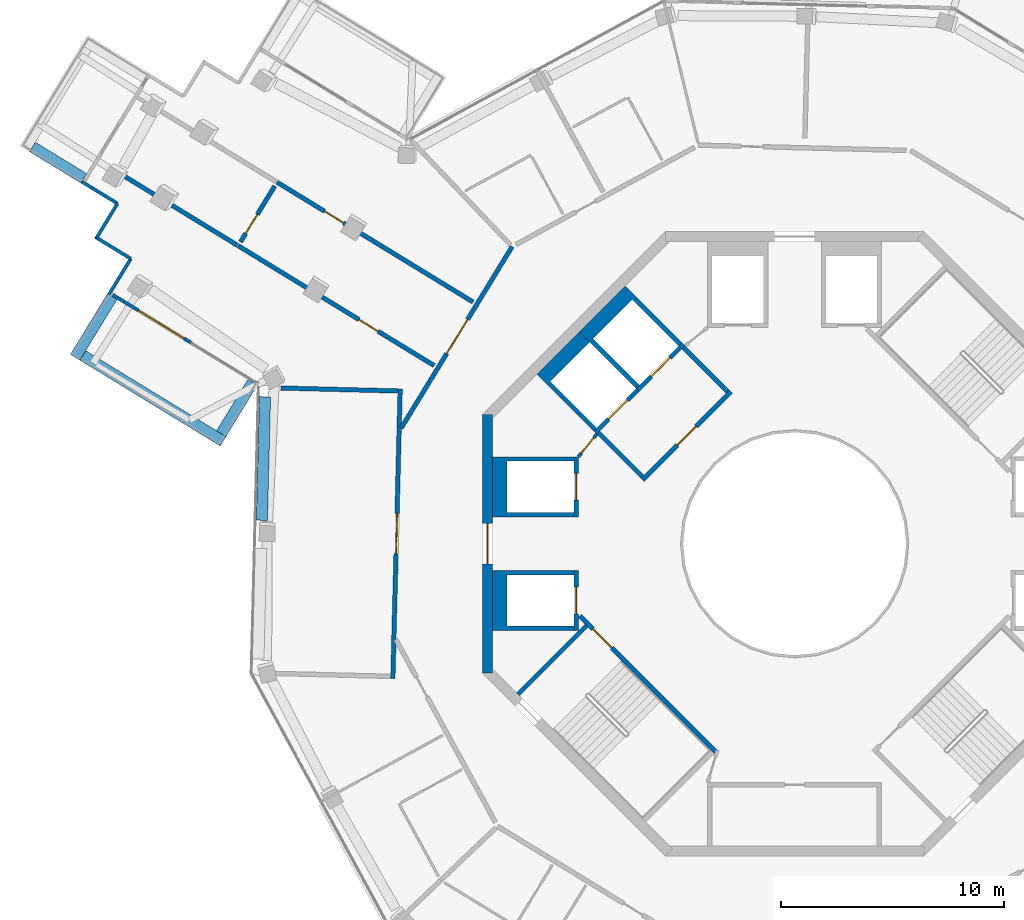
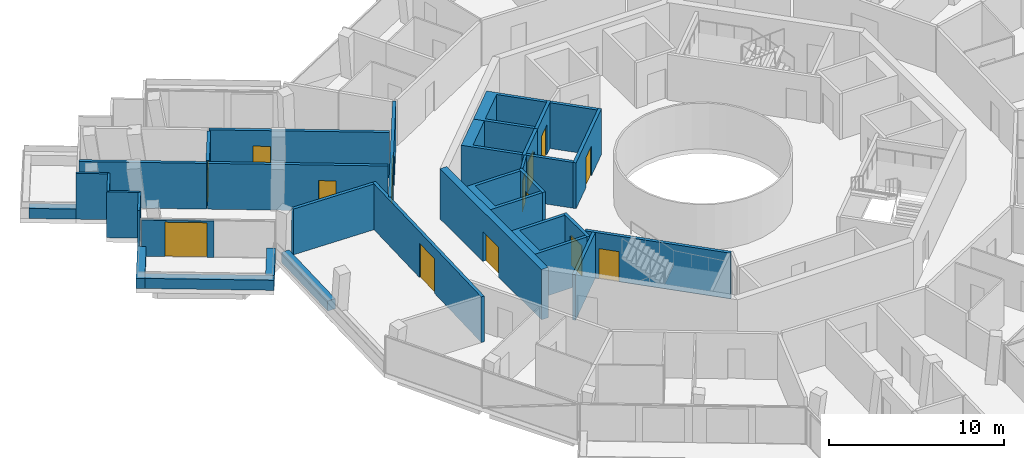
# One storey, part 18 of 24: 32 walls, 14 doors, 14 openings.
"""IFC4 building model written with IfcOpenShell, lengths in metres."""

import ifcopenshell
import ifcopenshell.guid

model = None  # the IFC model being written
_history = None  # IfcOwnerHistory: only IFC2X3 demands one
_inside = {}  # id of a spatial element -> (the spatial element, [elements in it])
_under = {}  # id of a project, library or spatial element -> (it, [spatial elements below it])
_declared = {}  # id of a project -> (the project, [libraries it declares])
_typed = {}  # id of a type object -> (the type object, [elements of that type])
_made_of = {}  # id of a material, layer set ... -> (it, [elements and type objects made of it])


def new_model(schema):
    """Start an empty IFC model of exactly this schema.

    Asked for "IFC4X3", IfcOpenShell would pick the latest addendum, in which some entities
    have other attributes; the version numbers below select the first issue.
    IFC2X3 requires an IfcOwnerHistory on every rooted entity: one is made here for all.
    """
    global model, _history
    if schema == "IFC4X3":
        model = ifcopenshell.file(schema_version=(4, 3, 0, 0))
    else:
        model = ifcopenshell.file(schema=schema)
    _inside.clear()
    _under.clear()
    _declared.clear()
    _typed.clear()
    _made_of.clear()
    _history = None
    if model.schema == "IFC2X3":
        org = make("IfcOrganization", Name="unknown")
        user = make(
            "IfcPersonAndOrganization",
            ThePerson=make("IfcPerson", FamilyName="unknown"),
            TheOrganization=org,
        )
        app = make(
            "IfcApplication",
            ApplicationDeveloper=org,
            Version="unknown",
            ApplicationFullName="unknown",
            ApplicationIdentifier="unknown",
        )
        _history = make(
            "IfcOwnerHistory",
            OwningUser=user,
            OwningApplication=app,
            ChangeAction="ADDED",
            CreationDate=0,
        )
    return model


def make(cls, **values):
    """One entity of the class cls with the attributes given. An attribute that is None is left unset."""
    return model.create_entity(
        cls, **{name: value for name, value in values.items() if value is not None}
    )


def rooted(cls, **values):
    """An entity with a GlobalId (a new one), such as an element, a storey or a relation."""
    return make(cls, GlobalId=ifcopenshell.guid.new(), OwnerHistory=_history, **values)


def si_unit(unit_type, name, prefix=None):
    """IfcSIUnit, for example si_unit("LENGTHUNIT", "METRE", prefix="MILLI")."""
    return make("IfcSIUnit", UnitType=unit_type, Prefix=prefix, Name=name)


def assignment(units):
    """IfcUnitAssignment: the units of a project."""
    return None if units is None else make("IfcUnitAssignment", Units=units)


def point(xyz):
    """IfcCartesianPoint."""
    return None if xyz is None else make("IfcCartesianPoint", Coordinates=xyz)


def direction(xyz):
    """IfcDirection."""
    return None if xyz is None else make("IfcDirection", DirectionRatios=xyz)


def frame(location, z_axis=None, x_axis=None):
    """IfcAxis2Placement3D, a coordinate frame: its origin and axes. An axis left out is left unset."""
    return make(
        "IfcAxis2Placement3D",
        Location=point(location),
        Axis=direction(z_axis),
        RefDirection=direction(x_axis),
    )


def frame_2d(location, x_axis=None):
    """IfcAxis2Placement2D, a coordinate frame in the plane: its origin and x axis."""
    return make(
        "IfcAxis2Placement2D", Location=point(location), RefDirection=direction(x_axis)
    )


def origin():
    """The frame at (0, 0, 0) with its axes left unset."""
    return frame((0.0, 0.0, 0.0))


def place(relative_to, where):
    """IfcLocalPlacement: puts the frame where relative to a parent placement (None: the world)."""
    return make(
        "IfcLocalPlacement", PlacementRelTo=relative_to, RelativePlacement=where
    )


def context(
    kind, dimensions, precision=None, world=None, true_north=None, identifier=None
):
    """IfcGeometricRepresentationContext, for example the 3D "Model" context."""
    return make(
        "IfcGeometricRepresentationContext",
        ContextIdentifier=identifier,
        ContextType=kind,
        CoordinateSpaceDimension=dimensions,
        Precision=precision,
        WorldCoordinateSystem=world,
        TrueNorth=true_north,
    )


def subcontext(parent, identifier, kind, view, scale=None):
    """IfcGeometricRepresentationSubContext, for example "Body" below "Model"."""
    return make(
        "IfcGeometricRepresentationSubContext",
        ContextIdentifier=identifier,
        ContextType=kind,
        ParentContext=parent,
        TargetScale=scale,
        TargetView=view,
    )


def project(units=None, contexts=None):
    """IfcProject with its units and contexts."""
    return rooted(
        "IfcProject",
        Name="project",
        RepresentationContexts=contexts,
        UnitsInContext=assignment(units),
    )


def spatial(cls, under=None, at=None, **own):
    """A site, building, storey or space (cls), placed at a placement, below another one or the project."""
    s = rooted(cls, ObjectPlacement=at, **own)
    if under is not None:
        _under.setdefault(under.id(), (under, []))[1].append(s)
    return s


def polyline(points):
    """IfcPolyline through the points."""
    return make("IfcPolyline", Points=[point(p) for p in points])


def profile(cls, at=None, kind="AREA", **sizes):
    """A parametric profile (cls). Its sizes go by their IFC names, for example OverallWidth=200.0."""
    return make(cls, ProfileType=kind, Position=at, **sizes)


def rectangle(**sizes):
    """IfcRectangleProfileDef."""
    return profile("IfcRectangleProfileDef", **sizes)


def outline(outer, holes=None, kind="AREA"):
    """IfcArbitraryClosedProfileDef: a profile drawn as a closed curve; with holes, ...WithVoids."""
    if holes is None:
        return make("IfcArbitraryClosedProfileDef", ProfileType=kind, OuterCurve=outer)
    return make(
        "IfcArbitraryProfileDefWithVoids",
        ProfileType=kind,
        OuterCurve=outer,
        InnerCurves=holes,
    )


def extrude(swept, where, along, depth):
    """IfcExtrudedAreaSolid: the profile swept, set in the frame where, extruded along a direction by depth."""
    return make(
        "IfcExtrudedAreaSolid",
        SweptArea=swept,
        Position=where,
        ExtrudedDirection=direction(along),
        Depth=depth,
    )


def shape(context_of_items, identifier, shape_type, items):
    """IfcShapeRepresentation: the items that make up one representation, for example the "Body"."""
    return make(
        "IfcShapeRepresentation",
        ContextOfItems=context_of_items,
        RepresentationIdentifier=identifier,
        RepresentationType=shape_type,
        Items=items,
    )


def material(Name=None, Category=None):
    """IfcMaterial."""
    return make("IfcMaterial", Name=Name, Category=Category)


def layer(
    of_material, thickness, ventilated=None, Name=None, Category=None, Priority=None
):
    """IfcMaterialLayer: one layer of a wall or slab, of a material (None: an air gap)."""
    return make(
        "IfcMaterialLayer",
        Material=of_material,
        LayerThickness=thickness,
        IsVentilated=ventilated,
        Name=Name,
        Category=Category,
        Priority=Priority,
    )


def layer_set(layers, Name=None):
    """IfcMaterialLayerSet."""
    return make("IfcMaterialLayerSet", MaterialLayers=layers, LayerSetName=Name)


def made_of(thing, what):
    """Note that an element or type object is made of a material, layer set ...; save() writes the relation."""
    if what is not None:
        _made_of.setdefault(what.id(), (what, []))[1].append(thing)
    return thing


def type_object(cls, material=None, **own):
    """A type object (cls), such as IfcWallType, which elements share."""
    return made_of(rooted(cls, **own), material)


def element(
    cls,
    number,
    at=None,
    inside=None,
    cuts=None,
    type_object=None,
    material=None,
    context=None,
    identifier="Body",
    shape_type=None,
    held_by="IfcProductDefinitionShape",
    body=None,
    shapes=None,
    **own,
):
    """One element of the class cls, such as IfcWall. Its Tag is "e" and its number.

    at: its placement. inside: the storey or other place that contains it. cuts: it is an
    opening in that element (IfcRelVoidsElement). A single representation is given by context,
    identifier, shape_type and body (its items); several are given by shapes. held_by: the class
    of the entity that holds the representations. save() writes the other relations.
    """
    e = rooted(cls, Tag="e%d" % number, ObjectPlacement=at, **own)
    if body is not None:
        shapes = [shape(context, identifier, shape_type, body)]
    if shapes is not None:
        e.Representation = make(held_by, Representations=shapes)
    if inside is not None:
        _inside.setdefault(inside.id(), (inside, []))[1].append(e)
    if cuts is not None:
        rooted(
            "IfcRelVoidsElement", RelatingBuildingElement=cuts, RelatedOpeningElement=e
        )
    if type_object is not None:
        _typed.setdefault(type_object.id(), (type_object, []))[1].append(e)
    return made_of(e, material)


def fill(opening, filler):
    """IfcRelFillsElement: the door or window that sits in an opening."""
    return rooted(
        "IfcRelFillsElement",
        RelatingOpeningElement=opening,
        RelatedBuildingElement=filler,
    )


def aggregate(whole, parts):
    """IfcRelAggregates: a whole, such as a stair, and the parts it consists of."""
    return rooted("IfcRelAggregates", RelatingObject=whole, RelatedObjects=parts)


def save(model, path):
    """Write the relations noted so far, then the file.

    IfcRelAggregates (storeys below a building ...), IfcRelContainedInSpatialStructure (elements
    in a storey), IfcRelDefinesByType, IfcRelAssociatesMaterial and IfcRelDeclares: one each for
    every whole, place, type object, material and project.
    """
    for whole, parts in _under.values():
        aggregate(whole, parts)
    for where, things in _inside.values():
        rooted(
            "IfcRelContainedInSpatialStructure",
            RelatedElements=things,
            RelatingStructure=where,
        )
    for kind, things in _typed.values():
        rooted("IfcRelDefinesByType", RelatedObjects=things, RelatingType=kind)
    for what, things in _made_of.values():
        rooted("IfcRelAssociatesMaterial", RelatedObjects=things, RelatingMaterial=what)
    for by, libraries in _declared.values():
        rooted("IfcRelDeclares", RelatingContext=by, RelatedDefinitions=libraries)
    model.write(path)


model = new_model("IFC4")

# Units and contexts
model_context = context("Model", 3, precision=1e-05, world=origin(), true_north=direction((0.0, 1.0)))
body_context = subcontext(model_context, "Body", "Model", "MODEL_VIEW")
ifc_project = project(units=[si_unit("LENGTHUNIT", "METRE"), si_unit("AREAUNIT", "SQUARE_METRE"), si_unit("VOLUMEUNIT", "CUBIC_METRE"), si_unit("PLANEANGLEUNIT", "RADIAN"), si_unit("MASSUNIT", "GRAM", prefix="KILO")], contexts=[model_context])

# Site, building, storey
site_placement = place(None, origin())
site = spatial("IfcSite", under=ifc_project, at=site_placement, CompositionType="ELEMENT")
building_placement = place(site_placement, origin())
building = spatial("IfcBuilding", under=site, at=building_placement, Name="Verdalira Terraces Hotel", CompositionType="ELEMENT")
storey_placement = place(building_placement, frame((0.0, 0.0, 274.0)))
storey = spatial("IfcBuildingStorey", under=building, at=storey_placement, Name="L67", CompositionType="ELEMENT", Elevation=274.0)

# Walls
ifc_material_1 = material(Name="Concrete C40", Category="concrete")
ifc_layer_1 = layer(ifc_material_1, 0.5)
ifc_layer_set_1 = layer_set([ifc_layer_1], Name="Balcony planter trough with tree")
wall_type_1 = type_object("IfcWallType", Name="Balcony planter trough with tree", PredefinedType="SOLIDWALL", material=ifc_layer_set_1)
wall_1_placement = place(storey_placement, frame((-34.179443, 17.790039, 0.0), z_axis=(0.0, 0.0, 1.0), x_axis=(0.853201326, -0.521581727, 0.0)))
element("IfcWall", 1, at=wall_1_placement, inside=storey, type_object=wall_type_1, Name="Balcony planter", PredefinedType="SOLIDWALL", context=body_context, shape_type="SweptSolid", body=[
    extrude(rectangle(XDim=2.698975, YDim=0.5, at=frame_2d((1.349609, 0.0))), origin(), (0.0, 0.0, 1.0), 0.699951),
])
wall_2_placement = place(storey_placement, frame((-30.599854, 11.087891, 0.0), z_axis=(0.0, 0.0, 1.0), x_axis=(-0.521638307, -0.853166735, 0.0)))
element("IfcWall", 2, at=wall_2_placement, inside=storey, type_object=wall_type_1, Name="Balcony planter", PredefinedType="SOLIDWALL", context=body_context, shape_type="SweptSolid", body=[
    extrude(rectangle(XDim=3.198975, YDim=0.5, at=frame_2d((1.599609, 0.0))), origin(), (0.0, 0.0, 1.0), 0.699951),
])
wall_3_placement = place(storey_placement, frame((-31.924805, 8.441406, 0.0), z_axis=(0.0, 0.0, 1.0), x_axis=(0.853188631, -0.521602492, 0.0)))
element("IfcWall", 3, at=wall_3_placement, inside=storey, type_object=wall_type_1, Name="Balcony planter", PredefinedType="SOLIDWALL", context=body_context, shape_type="SweptSolid", body=[
    extrude(rectangle(XDim=7.382812, YDim=0.5, at=frame_2d((3.691406, 0.0))), origin(), (0.0, 0.0, 1.0), 0.699951),
])
wall_4_placement = place(storey_placement, frame((-25.708984, 4.934326, 0.0), z_axis=(0.0, 0.0, 1.0), x_axis=(0.521647571, 0.85316107, 0.0)))
element("IfcWall", 4, at=wall_4_placement, inside=storey, type_object=wall_type_1, Name="Balcony planter", PredefinedType="SOLIDWALL", context=body_context, shape_type="SweptSolid", body=[
    extrude(rectangle(XDim=2.698975, YDim=0.5, at=frame_2d((1.349609, 0.0))), origin(), (0.0, 0.0, 1.0), 0.699951),
])
ifc_material_2 = material(Name="Concrete C50", Category="concrete")
ifc_layer_2 = layer(ifc_material_2, 0.199951171875)
ifc_layer_set_2 = layer_set([ifc_layer_2], Name="Core RC wall 200 C50")
wall_type_2 = type_object("IfcWallType", Name="Core RC wall 200 C50", PredefinedType="SOLIDWALL", material=ifc_layer_set_2)
wall_5_placement = place(storey_placement, origin())
element("IfcWall", 5, at=wall_5_placement, inside=storey, type_object=wall_type_2, Name="L67 shaft wall W1", PredefinedType="SOLIDWALL", context=body_context, shape_type="SweptSolid", body=[
    extrude(outline(polyline([(-13.550049, 3.899902), (-9.899902, 3.899902), (-9.899902, 3.699951), (-12.899902, 3.699951), (-12.899902, 1.399902), (-9.899902, 1.399902), (-9.899902, 1.199951), (-13.550049, 1.199951), (-13.550049, 3.899902)])), origin(), (0.0, 0.0, 1.0), 3.189941),
])

# Wall, opening, door
wall_6_placement = place(storey_placement, frame((-9.800049, 1.199951, 0.0), z_axis=(0.0, 0.0, 1.0), x_axis=(0.0, 1.0, 0.0)))
wall_6 = element("IfcWall", 6, at=wall_6_placement, inside=storey, type_object=wall_type_2, Name="L67 shaft front wall W1", PredefinedType="SOLIDWALL", context=body_context, shape_type="SweptSolid", body=[
    extrude(rectangle(XDim=2.699951, YDim=0.199951, at=frame_2d((1.350098, 0.0))), origin(), (0.0, 0.0, 1.0), 3.189941),
])
opening_1_placement = place(wall_6_placement, frame((0.75, 0.0, 0.0)))
opening_1 = element("IfcOpeningElement", 7, at=opening_1_placement, cuts=wall_6, Name="Opening LD-L67-806", PredefinedType="OPENING", context=body_context, shape_type="SweptSolid", body=[
    extrude(rectangle(XDim=1.199951, YDim=2.100098, at=frame_2d((0.600098, 1.050049))), frame((0.0, 0.109863, 0.0), z_axis=(0.0, -1.0, 0.0), x_axis=(1.0, 0.0, 0.0)), (0.0, 0.0, 1.0), 0.219971),
])
ifc_material_3 = material(Name="Stainless steel", Category="steel")
door_type_1 = type_object("IfcDoorType", Name="Landing door 1200 x 2100", OperationType="NOTDEFINED", PredefinedType="DOOR", material=ifc_material_3)
door_1_placement = place(opening_1_placement, origin())
door_1 = element("IfcDoor", 8, at=door_1_placement, inside=storey, type_object=door_type_1, Name="Lift landing door HR5 L67", OperationType="DOUBLE_DOOR_SLIDING", OverallHeight=2.10009765625, OverallWidth=1.199951171875, PredefinedType="DOOR", context=body_context, shape_type="SweptSolid", body=[
    extrude(rectangle(XDim=1.199951, YDim=2.100098, at=frame_2d((0.600098, 1.050049))), frame((0.0, 0.024902, 0.0), z_axis=(0.0, -1.0, 0.0), x_axis=(1.0, 0.0, 0.0)), (0.0, 0.0, 1.0), 0.050049),
])
fill(opening_1, door_1)

# Wall
wall_7_placement = place(storey_placement, origin())
element("IfcWall", 9, at=wall_7_placement, inside=storey, type_object=wall_type_2, Name="L67 shaft wall W2", PredefinedType="SOLIDWALL", context=body_context, shape_type="SweptSolid", body=[
    extrude(outline(polyline([(-13.550049, -3.899902), (-13.550049, -1.199951), (-9.899902, -1.199951), (-9.899902, -1.399902), (-12.899902, -1.399902), (-12.899902, -3.699951), (-9.899902, -3.699951), (-9.899902, -3.899902), (-13.550049, -3.899902)])), origin(), (0.0, 0.0, 1.0), 3.189941),
])

# Wall, opening, door
wall_8_placement = place(storey_placement, frame((-9.800049, -1.199951, 0.0), z_axis=(0.0, 0.0, 1.0), x_axis=(0.0, -1.0, 0.0)))
wall_8 = element("IfcWall", 10, at=wall_8_placement, inside=storey, type_object=wall_type_2, Name="L67 shaft front wall W2", PredefinedType="SOLIDWALL", context=body_context, shape_type="SweptSolid", body=[
    extrude(rectangle(XDim=2.699951, YDim=0.199951, at=frame_2d((1.350098, 0.0))), origin(), (0.0, 0.0, 1.0), 3.189941),
])
opening_2_placement = place(wall_8_placement, frame((0.75, 0.0, 0.0)))
opening_2 = element("IfcOpeningElement", 11, at=opening_2_placement, cuts=wall_8, Name="Opening LD-L67-807", PredefinedType="OPENING", context=body_context, shape_type="SweptSolid", body=[
    extrude(rectangle(XDim=1.199951, YDim=2.100098, at=frame_2d((0.600098, 1.050049))), frame((0.0, 0.109863, 0.0), z_axis=(0.0, -1.0, 0.0), x_axis=(1.0, 0.0, 0.0)), (0.0, 0.0, 1.0), 0.219971),
])
door_2_placement = place(opening_2_placement, origin())
door_2 = element("IfcDoor", 12, at=door_2_placement, inside=storey, type_object=door_type_1, Name="Lift landing door HR6 L67", OperationType="DOUBLE_DOOR_SLIDING", OverallHeight=2.10009765625, OverallWidth=1.199951171875, PredefinedType="DOOR", context=body_context, shape_type="SweptSolid", body=[
    extrude(rectangle(XDim=1.199951, YDim=2.100098, at=frame_2d((0.600098, 1.050049))), frame((0.0, 0.024902, 0.0), z_axis=(0.0, -1.0, 0.0), x_axis=(1.0, 0.0, 0.0)), (0.0, 0.0, 1.0), 0.050049),
])
fill(opening_2, door_2)

# Wall
wall_9_placement = place(storey_placement, origin())
element("IfcWall", 13, at=wall_9_placement, inside=storey, type_object=wall_type_2, Name="L67 shaft wall F1", PredefinedType="SOLIDWALL", context=body_context, shape_type="SweptSolid", body=[
    extrude(outline(polyline([(-9.6521, 9.510498), (-7.601318, 11.561279), (-5.055908, 9.015625), (-5.197266, 8.874268), (-7.283203, 10.960205), (-9.051025, 9.192383), (-6.965088, 7.106445), (-7.106445, 6.965088), (-9.6521, 9.510498)])), origin(), (0.0, 0.0, 1.0), 3.189941),
])

# Wall, opening, door
wall_10_placement = place(storey_placement, frame((-4.985107, 8.944824, 0.0), z_axis=(0.0, 0.0, 1.0), x_axis=(-0.707106781, -0.707106781, 0.0)))
wall_10 = element("IfcWall", 14, at=wall_10_placement, inside=storey, type_object=wall_type_2, Name="L67 shaft front wall F1", PredefinedType="SOLIDWALL", context=body_context, shape_type="SweptSolid", body=[
    extrude(rectangle(XDim=2.899902, YDim=0.199951, at=frame_2d((1.449951, 0.0))), origin(), (0.0, 0.0, 1.0), 3.189941),
])
opening_3_placement = place(wall_10_placement, frame((0.850098, 0.0, 0.0)))
opening_3 = element("IfcOpeningElement", 15, at=opening_3_placement, cuts=wall_10, Name="Opening LD-L67-808", PredefinedType="OPENING", context=body_context, shape_type="SweptSolid", body=[
    extrude(rectangle(XDim=1.199951, YDim=2.100098, at=frame_2d((0.600098, 1.050049))), frame((0.0, 0.109863, 0.0), z_axis=(0.0, -1.0, 0.0), x_axis=(1.0, 0.0, 0.0)), (0.0, 0.0, 1.0), 0.219971),
])
door_3_placement = place(opening_3_placement, origin())
door_3 = element("IfcDoor", 16, at=door_3_placement, inside=storey, type_object=door_type_1, Name="Lift landing door LF11 L67", OperationType="DOUBLE_DOOR_SLIDING", OverallHeight=2.10009765625, OverallWidth=1.199951171875, PredefinedType="DOOR", context=body_context, shape_type="SweptSolid", body=[
    extrude(rectangle(XDim=1.199951, YDim=2.100098, at=frame_2d((0.600098, 1.050049))), frame((0.0, 0.024902, 0.0), z_axis=(0.0, -1.0, 0.0), x_axis=(1.0, 0.0, 0.0)), (0.0, 0.0, 1.0), 0.050049),
])
fill(opening_3, door_3)

# Wall
wall_11_placement = place(storey_placement, origin())
element("IfcWall", 17, at=wall_11_placement, inside=storey, type_object=wall_type_2, Name="L67 shaft wall F2", PredefinedType="SOLIDWALL", context=body_context, shape_type="SweptSolid", body=[
    extrude(outline(polyline([(-11.561279, 7.601318), (-9.6521, 9.510498), (-9.192383, 9.051025), (-10.960205, 7.283203), (-8.874268, 5.197266), (-9.015625, 5.055908), (-11.561279, 7.601318)])), origin(), (0.0, 0.0, 1.0), 3.189941),
])

# Wall, opening, door
wall_12_placement = place(storey_placement, frame((-7.035645, 6.894287, 0.0), z_axis=(0.0, 0.0, 1.0), x_axis=(-0.707106781, -0.707106781, 0.0)))
wall_12 = element("IfcWall", 18, at=wall_12_placement, inside=storey, type_object=wall_type_2, Name="L67 shaft front wall F2", PredefinedType="SOLIDWALL", context=body_context, shape_type="SweptSolid", body=[
    extrude(rectangle(XDim=2.699951, YDim=0.199951, at=frame_2d((1.350098, 0.0))), origin(), (0.0, 0.0, 1.0), 3.189941),
])
opening_4_placement = place(wall_12_placement, frame((0.649902, 0.0, 0.0)))
opening_4 = element("IfcOpeningElement", 19, at=opening_4_placement, cuts=wall_12, Name="Opening LD-L67-809", PredefinedType="OPENING", context=body_context, shape_type="SweptSolid", body=[
    extrude(rectangle(XDim=1.199951, YDim=2.100098, at=frame_2d((0.600098, 1.050049))), frame((0.0, 0.109863, 0.0), z_axis=(0.0, -1.0, 0.0), x_axis=(1.0, 0.0, 0.0)), (0.0, 0.0, 1.0), 0.219971),
])
door_4_placement = place(opening_4_placement, origin())
door_4 = element("IfcDoor", 20, at=door_4_placement, inside=storey, type_object=door_type_1, Name="Lift landing door LF12 L67", OperationType="DOUBLE_DOOR_SLIDING", OverallHeight=2.10009765625, OverallWidth=1.199951171875, PredefinedType="DOOR", context=body_context, shape_type="SweptSolid", body=[
    extrude(rectangle(XDim=1.199951, YDim=2.100098, at=frame_2d((0.600098, 1.050049))), frame((0.0, 0.024902, 0.0), z_axis=(0.0, -1.0, 0.0), x_axis=(1.0, 0.0, 0.0)), (0.0, 0.0, 1.0), 0.050049),
])
fill(opening_4, door_4)

wall_13_placement = place(storey_placement, frame((-3.5354, -9.33374, 0.0), z_axis=(0.0, 0.0, 1.0), x_axis=(-0.707120946, 0.707092617, 0.0)))
wall_13 = element("IfcWall", 21, at=wall_13_placement, inside=storey, type_object=wall_type_2, Name="L67 stair ST2 front wall", PredefinedType="SOLIDWALL", context=body_context, shape_type="SweptSolid", body=[
    extrude(rectangle(XDim=8.61792, YDim=0.199951, at=frame_2d((4.309082, 0.0))), origin(), (0.0, 0.0, 1.0), 3.189941),
])
opening_5_placement = place(wall_13_placement, frame((6.600098, 0.0, 0.0)))
opening_5 = element("IfcOpeningElement", 22, at=opening_5_placement, cuts=wall_13, Name="Opening L67-811", PredefinedType="OPENING", context=body_context, shape_type="SweptSolid", body=[
    extrude(rectangle(XDim=1.199951, YDim=2.100098, at=frame_2d((0.600098, 1.050049))), frame((0.0, 0.109863, 0.0), z_axis=(0.0, -1.0, 0.0), x_axis=(1.0, 0.0, 0.0)), (0.0, 0.0, 1.0), 0.219971),
])
ifc_material_4 = material(Name="Steel fire door", Category="steel")
door_type_2 = type_object("IfcDoorType", Name="Stair door 1200 x 2100", OperationType="NOTDEFINED", PredefinedType="DOOR", material=ifc_material_4)
door_5_placement = place(opening_5_placement, origin())
door_5 = element("IfcDoor", 23, at=door_5_placement, inside=storey, type_object=door_type_2, Name="Stair door ST2 L67", OperationType="SINGLE_SWING_RIGHT", OverallHeight=2.10009765625, OverallWidth=1.199951171875, PredefinedType="DOOR", context=body_context, shape_type="SweptSolid", body=[
    extrude(rectangle(XDim=1.199951, YDim=2.100098, at=frame_2d((0.600098, 1.050049))), frame((0.0, 0.024902, 0.0), z_axis=(0.0, -1.0, 0.0), x_axis=(1.0, 0.0, 0.0)), (0.0, 0.0, 1.0), 0.050049),
])
fill(opening_5, door_5)

# Wall
wall_14_placement = place(storey_placement, frame((-9.33374, -3.677002, 0.0), z_axis=(0.0, 0.0, 1.0), x_axis=(-0.707106781, -0.707106781, 0.0)))
element("IfcWall", 24, at=wall_14_placement, inside=storey, type_object=wall_type_2, Name="L67 stair ST2 end wall 1", PredefinedType="SOLIDWALL", context=body_context, shape_type="SweptSolid", body=[
    extrude(rectangle(XDim=4.350098, YDim=0.199951, at=frame_2d((2.175049, 0.0))), origin(), (0.0, 0.0, 1.0), 3.189941),
])

# Wall, opening, door
wall_15_placement = place(storey_placement, frame((-2.86377, 6.823486, 0.0), z_axis=(0.0, 0.0, 1.0), x_axis=(-0.707106781, -0.707106781, 0.0)))
wall_15 = element("IfcWall", 25, at=wall_15_placement, inside=storey, type_object=wall_type_2, Name="L67 fire lobby wall", PredefinedType="SOLIDWALL", context=body_context, shape_type="SweptSolid", body=[
    extrude(rectangle(XDim=5.599854, YDim=0.199951, at=frame_2d((2.799805, 0.0))), origin(), (0.0, 0.0, 1.0), 3.189941),
])
opening_6_placement = place(wall_15_placement, frame((2.199951, 0.0, 0.0)))
opening_6 = element("IfcOpeningElement", 26, at=opening_6_placement, cuts=wall_15, Name="Opening L67-819", PredefinedType="OPENING", context=body_context, shape_type="SweptSolid", body=[
    extrude(rectangle(XDim=1.199951, YDim=2.100098, at=frame_2d((0.600098, 1.050049))), frame((0.0, 0.109863, 0.0), z_axis=(0.0, -1.0, 0.0), x_axis=(1.0, 0.0, 0.0)), (0.0, 0.0, 1.0), 0.219971),
])
ifc_material_5 = material(Name="Steel fire door", Category="steel")
door_type_3 = type_object("IfcDoorType", Name="Lobby door 1200 x 2100", OperationType="NOTDEFINED", PredefinedType="DOOR", material=ifc_material_5)
door_6_placement = place(opening_6_placement, origin())
door_6 = element("IfcDoor", 27, at=door_6_placement, inside=storey, type_object=door_type_3, Name="Fire lobby door L67", OperationType="SINGLE_SWING_LEFT", OverallHeight=2.10009765625, OverallWidth=1.199951171875, PredefinedType="DOOR", context=body_context, shape_type="SweptSolid", body=[
    extrude(rectangle(XDim=1.199951, YDim=2.100098, at=frame_2d((0.600098, 1.050049))), frame((0.0, 0.024902, 0.0), z_axis=(0.0, -1.0, 0.0), x_axis=(1.0, 0.0, 0.0)), (0.0, 0.0, 1.0), 0.050049),
])
fill(opening_6, door_6)

# Walls
for number, where, z_axis, x_axis, name in (
    (28, (-3.005127, 6.823486, 0.0), (0.0, 0.0, 1.0), (-0.707106781, 0.707106781, 0.0), "L67 fire lobby wall"),
    (29, (-6.823486, 3.005127, 0.0), (0.0, 0.0, 1.0), (-0.707106781, 0.707106781, 0.0), "L67 fire lobby wall"),
):
    element("IfcWall", number, at=place(storey_placement, frame(where, z_axis=z_axis, x_axis=x_axis)), inside=storey, type_object=wall_type_2, Name=name, PredefinedType="SOLIDWALL", context=body_context, shape_type="SweptSolid", body=[
        extrude(rectangle(XDim=2.800049, YDim=0.199951, at=frame_2d((1.399902, 0.0))), origin(), (0.0, 0.0, 1.0), 3.189941),
    ])

# Wall, opening, door
ifc_material_6 = material(Name="Gypsum board partition")
ifc_layer_3 = layer(ifc_material_6, 0.14990234375)
ifc_layer_set_3 = layer_set([ifc_layer_3], Name="Core partition 150 mm")
wall_type_3 = type_object("IfcWallType", Name="Core partition 150 mm", PredefinedType="PARTITIONING", material=ifc_layer_set_3)
wall_16_placement = place(storey_placement, frame((-8.874268, 4.914307, 0.0), z_axis=(0.0, 0.0, 1.0), x_axis=(-0.631274009, -0.775559878, 0.0)))
wall_16 = element("IfcWall", 30, at=wall_16_placement, inside=storey, type_object=wall_type_3, Name="Room partition L67", PredefinedType="PARTITIONING", context=body_context, shape_type="SweptSolid", body=[
    extrude(rectangle(XDim=1.307861, YDim=0.149902, at=frame_2d((0.653809, 0.0))), origin(), (0.0, 0.0, 1.0), 3.189941),
])
opening_7_placement = place(wall_16_placement, frame((0.204102, 0.0, 0.0)))
opening_7 = element("IfcOpeningElement", 31, at=opening_7_placement, cuts=wall_16, Name="Opening L67-821", PredefinedType="OPENING", context=body_context, shape_type="SweptSolid", body=[
    extrude(rectangle(XDim=0.899902, YDim=2.100098, at=frame_2d((0.449951, 1.050049))), frame((0.0, 0.084961, 0.0), z_axis=(0.0, -1.0, 0.0), x_axis=(1.0, 0.0, 0.0)), (0.0, 0.0, 1.0), 0.169922),
])
ifc_material_7 = material(Name="Steel fire door", Category="steel")
door_type_4 = type_object("IfcDoorType", Name="Core room door 900 x 2100", OperationType="NOTDEFINED", PredefinedType="DOOR", material=ifc_material_7)
door_7_placement = place(opening_7_placement, origin())
door_7 = element("IfcDoor", 32, at=door_7_placement, inside=storey, type_object=door_type_4, Name="Door L67 room3", OperationType="SINGLE_SWING_LEFT", OverallHeight=2.10009765625, OverallWidth=0.89990234375, PredefinedType="DOOR", context=body_context, shape_type="SweptSolid", body=[
    extrude(rectangle(XDim=0.899902, YDim=2.100098, at=frame_2d((0.449951, 1.050049))), frame((0.0, 0.024902, 0.0), z_axis=(0.0, -1.0, 0.0), x_axis=(1.0, 0.0, 0.0)), (0.0, 0.0, 1.0), 0.050049),
])
fill(opening_7, door_7)

ifc_material_8 = material(Name="Concrete C50", Category="concrete")
ifc_layer_4 = layer(ifc_material_8, 0.449951171875)
ifc_layer_set_4 = layer_set([ifc_layer_4], Name="Core wall 450 C50")
wall_type_4 = type_object("IfcWallType", Name="Core wall 450 C50", PredefinedType="SHEAR", material=ifc_layer_set_4)
wall_17_placement = place(storey_placement, frame((-13.774902, 5.799072, 0.0), z_axis=(0.0, 0.0, 1.0), x_axis=(0.0, -1.0, 0.0)))
wall_17 = element("IfcWall", 33, at=wall_17_placement, inside=storey, type_object=wall_type_4, Name="Core wall CW-L67-5", PredefinedType="SHEAR", context=body_context, shape_type="SweptSolid", body=[
    extrude(rectangle(XDim=11.598145, YDim=0.449951, at=frame_2d((5.799072, 0.0))), origin(), (0.0, 0.0, 1.0), 3.5),
])
opening_8_placement = place(wall_17_placement, frame((4.898926, 0.0, 0.0)))
opening_8 = element("IfcOpeningElement", 34, at=opening_8_placement, cuts=wall_17, Name="Opening L67-815", PredefinedType="OPENING", context=body_context, shape_type="SweptSolid", body=[
    extrude(rectangle(XDim=1.800049, YDim=2.100098, at=frame_2d((0.899902, 1.050049))), frame((0.0, 0.234863, 0.0), z_axis=(0.0, -1.0, 0.0), x_axis=(1.0, 0.0, 0.0)), (0.0, 0.0, 1.0), 0.469971),
])
ifc_material_9 = material(Name="Steel fire door", Category="steel")
door_type_5 = type_object("IfcDoorType", Name="Core entry door pair 1800 x 2100", OperationType="NOTDEFINED", PredefinedType="DOOR", material=ifc_material_9)
door_8_placement = place(opening_8_placement, origin())
door_8 = element("IfcDoor", 35, at=door_8_placement, inside=storey, type_object=door_type_5, Name="Core entry door L67 4", OperationType="DOUBLE_DOOR_SINGLE_SWING", OverallHeight=2.10009765625, OverallWidth=1.800048828125, PredefinedType="DOOR", context=body_context, shape_type="SweptSolid", body=[
    extrude(rectangle(XDim=1.800049, YDim=2.100098, at=frame_2d((0.899902, 1.050049))), frame((0.0, 0.024902, 0.0), z_axis=(0.0, -1.0, 0.0), x_axis=(1.0, 0.0, 0.0)), (0.0, 0.0, 1.0), 0.050049),
])
fill(opening_8, door_8)

# Wall
ifc_material_10 = material(Name="Fire-rated gypsum board wall")
ifc_layer_5 = layer(ifc_material_10, 0.199951171875)
ifc_layer_set_5 = layer_set([ifc_layer_5], Name="Demising wall 200 mm")
wall_type_5 = type_object("IfcWallType", Name="Demising wall 200 mm", PredefinedType="SOLIDWALL", material=ifc_layer_set_5)
wall_18_placement = place(storey_placement, frame((-31.208984, 17.185059, 0.0), z_axis=(0.0, 0.0, 1.0), x_axis=(0.853178261, -0.521619454, 0.0)))
element("IfcWall", 36, at=wall_18_placement, inside=storey, type_object=wall_type_5, Name="Demising wall", PredefinedType="SOLIDWALL", context=body_context, shape_type="SweptSolid", body=[
    extrude(rectangle(XDim=7.284668, YDim=0.199951, at=frame_2d((3.642334, 0.0))), origin(), (0.0, 0.0, 1.0), 3.189941),
])

# Wall, opening, door
wall_19_placement = place(storey_placement, frame((-24.848633, 13.531006, 0.0), z_axis=(0.0, 0.0, 1.0), x_axis=(0.521631313, 0.853171011, 0.0)))
wall_19 = element("IfcWall", 37, at=wall_19_placement, inside=storey, type_object=wall_type_5, Name="Demising wall", PredefinedType="SOLIDWALL", context=body_context, shape_type="SweptSolid", body=[
    extrude(rectangle(XDim=2.941162, YDim=0.199951, at=frame_2d((1.470703, 0.0))), origin(), (0.0, 0.0, 1.0), 3.189941),
])
opening_9_placement = place(wall_19_placement, frame((0.449951, 0.0, 0.0)))
opening_9 = element("IfcOpeningElement", 38, at=opening_9_placement, cuts=wall_19, Name="Opening L67-104", PredefinedType="OPENING", context=body_context, shape_type="SweptSolid", body=[
    extrude(rectangle(XDim=1.0, YDim=2.100098, at=frame_2d((0.5, 1.050049))), frame((0.0, 0.109863, 0.0), z_axis=(0.0, -1.0, 0.0), x_axis=(1.0, 0.0, 0.0)), (0.0, 0.0, 1.0), 0.219971),
])
ifc_material_11 = material(Name="Timber fire door", Category="wood")
door_type_6 = type_object("IfcDoorType", Name="Public room door 1000 x 2100", OperationType="NOTDEFINED", PredefinedType="DOOR", material=ifc_material_11)
door_9_placement = place(opening_9_placement, origin())
door_9 = element("IfcDoor", 39, at=door_9_placement, inside=storey, type_object=door_type_6, Name="Public room door 6701", OperationType="SINGLE_SWING_LEFT", OverallHeight=2.10009765625, OverallWidth=1.0, PredefinedType="DOOR", context=body_context, shape_type="SweptSolid", body=[
    extrude(rectangle(XDim=1.0, YDim=2.100098, at=frame_2d((0.5, 1.050049))), frame((0.0, 0.024902, 0.0), z_axis=(0.0, -1.0, 0.0), x_axis=(1.0, 0.0, 0.0)), (0.0, 0.0, 1.0), 0.050049),
])
fill(opening_9, door_9)

wall_20_placement = place(storey_placement, frame((-16.165039, 7.987793, 0.0), z_axis=(0.0, 0.0, 1.0), x_axis=(-0.853189263, 0.521601458, 0.0)))
wall_20 = element("IfcWall", 40, at=wall_20_placement, inside=storey, type_object=wall_type_5, Name="Demising wall", PredefinedType="SOLIDWALL", context=body_context, shape_type="SweptSolid", body=[
    extrude(rectangle(XDim=10.302002, YDim=0.199951, at=frame_2d((5.150879, 0.0))), origin(), (0.0, 0.0, 1.0), 3.189941),
])
opening_10_placement = place(wall_20_placement, frame((2.949951, 0.0, 0.0)))
opening_10 = element("IfcOpeningElement", 41, at=opening_10_placement, cuts=wall_20, Name="Opening L67-103", PredefinedType="OPENING", context=body_context, shape_type="SweptSolid", body=[
    extrude(rectangle(XDim=1.0, YDim=2.100098, at=frame_2d((0.5, 1.050049))), frame((0.0, 0.109863, 0.0), z_axis=(0.0, -1.0, 0.0), x_axis=(1.0, 0.0, 0.0)), (0.0, 0.0, 1.0), 0.219971),
])
door_10_placement = place(opening_10_placement, origin())
door_10 = element("IfcDoor", 42, at=door_10_placement, inside=storey, type_object=door_type_6, Name="Public room door 6701", OperationType="SINGLE_SWING_LEFT", OverallHeight=2.10009765625, OverallWidth=1.0, PredefinedType="DOOR", context=body_context, shape_type="SweptSolid", body=[
    extrude(rectangle(XDim=1.0, YDim=2.100098, at=frame_2d((0.5, 1.050049))), frame((0.0, 0.024902, 0.0), z_axis=(0.0, -1.0, 0.0), x_axis=(1.0, 0.0, 0.0)), (0.0, 0.0, 1.0), 0.050049),
])
fill(opening_10, door_10)

wall_21_placement = place(storey_placement, frame((-23.211914, 16.211914, 0.0), z_axis=(0.0, 0.0, 1.0), x_axis=(0.853189263, -0.521601458, 0.0)))
wall_21 = element("IfcWall", 43, at=wall_21_placement, inside=storey, type_object=wall_type_5, Name="Demising wall", PredefinedType="SOLIDWALL", context=body_context, shape_type="SweptSolid", body=[
    extrude(rectangle(XDim=10.302002, YDim=0.199951, at=frame_2d((5.150879, 0.0))), origin(), (0.0, 0.0, 1.0), 3.189941),
])
opening_11_placement = place(wall_21_placement, frame((2.5, 0.0, 0.0)))
opening_11 = element("IfcOpeningElement", 44, at=opening_11_placement, cuts=wall_21, Name="Opening L67-102", PredefinedType="OPENING", context=body_context, shape_type="SweptSolid", body=[
    extrude(rectangle(XDim=1.0, YDim=2.100098, at=frame_2d((0.5, 1.050049))), frame((0.0, 0.109863, 0.0), z_axis=(0.0, -1.0, 0.0), x_axis=(1.0, 0.0, 0.0)), (0.0, 0.0, 1.0), 0.219971),
])
door_11_placement = place(opening_11_placement, origin())
door_11 = element("IfcDoor", 45, at=door_11_placement, inside=storey, type_object=door_type_6, Name="Public room door 6701", OperationType="SINGLE_SWING_LEFT", OverallHeight=2.10009765625, OverallWidth=1.0, PredefinedType="DOOR", context=body_context, shape_type="SweptSolid", body=[
    extrude(rectangle(XDim=1.0, YDim=2.100098, at=frame_2d((0.5, 1.050049))), frame((0.0, 0.024902, 0.0), z_axis=(0.0, -1.0, 0.0), x_axis=(1.0, 0.0, 0.0)), (0.0, 0.0, 1.0), 0.050049),
])
fill(opening_11, door_11)

ifc_material_12 = material(Name="Fire-rated gypsum board wall")
ifc_layer_6 = layer(ifc_material_12, 0.199951171875)
ifc_layer_set_6 = layer_set([ifc_layer_6], Name="Guest corridor wall 200 mm")
wall_type_6 = type_object("IfcWallType", Name="Guest corridor wall 200 mm", PredefinedType="SOLIDWALL", material=ifc_layer_set_6)
wall_22_placement = place(storey_placement, frame((-17.643555, 5.186035, 0.0), z_axis=(0.0, 0.0, 1.0), x_axis=(0.521608435, 0.853184998, 0.0)))
wall_22 = element("IfcWall", 46, at=wall_22_placement, inside=storey, type_object=wall_type_6, Name="Guest corridor wall", PredefinedType="SOLIDWALL", context=body_context, shape_type="SweptSolid", body=[
    extrude(rectangle(XDim=9.536621, YDim=0.199951, at=frame_2d((4.768311, 0.0))), origin(), (0.0, 0.0, 1.0), 3.189941),
])
opening_12_placement = place(wall_22_placement, frame((3.911621, 0.0, 0.0)))
opening_12 = element("IfcOpeningElement", 47, at=opening_12_placement, cuts=wall_22, Name="Opening L67-101", PredefinedType="OPENING", context=body_context, shape_type="SweptSolid", body=[
    extrude(rectangle(XDim=1.800049, YDim=2.100098, at=frame_2d((0.899902, 1.050049))), frame((0.0, 0.109863, 0.0), z_axis=(0.0, -1.0, 0.0), x_axis=(1.0, 0.0, 0.0)), (0.0, 0.0, 1.0), 0.219971),
])
ifc_material_13 = material(Name="Timber fire door", Category="wood")
door_type_7 = type_object("IfcDoorType", Name="Public room double door 1800 x 2100", OperationType="NOTDEFINED", PredefinedType="DOOR", material=ifc_material_13)
door_12_placement = place(opening_12_placement, origin())
door_12 = element("IfcDoor", 48, at=door_12_placement, inside=storey, type_object=door_type_7, Name="Public room double door 6701", OperationType="DOUBLE_DOOR_SINGLE_SWING", OverallHeight=2.10009765625, OverallWidth=1.800048828125, PredefinedType="DOOR", context=body_context, shape_type="SweptSolid", body=[
    extrude(rectangle(XDim=1.800049, YDim=2.100098, at=frame_2d((0.899902, 1.050049))), frame((0.0, 0.024902, 0.0), z_axis=(0.0, -1.0, 0.0), x_axis=(1.0, 0.0, 0.0)), (0.0, 0.0, 1.0), 0.050049),
])
fill(opening_12, door_12)

ifc_material_14 = material(Name="Terracotta cladding", Category="masonry")
ifc_layer_7 = layer(ifc_material_14, 0.199951171875)
ifc_layer_set_7 = layer_set([ifc_layer_7], Name="Loggia back wall 200")
wall_type_7 = type_object("IfcWallType", Name="Loggia back wall 200", PredefinedType="SOLIDWALL", material=ifc_layer_set_7)
wall_23_placement = place(storey_placement, frame((-18.016113, -6.049072, 0.0), z_axis=(0.0, 0.0, 1.0), x_axis=(0.025127793, 0.999684247, 0.0)))
wall_23 = element("IfcWall", 49, at=wall_23_placement, inside=storey, type_object=wall_type_7, Name="Loggia back wall", PredefinedType="SOLIDWALL", context=body_context, shape_type="SweptSolid", body=[
    extrude(rectangle(XDim=13.0, YDim=0.199951, at=frame_2d((6.5, 0.0))), origin(), (0.0, 0.0, 1.0), 3.189941),
])
opening_13_placement = place(wall_23_placement, frame((5.600098, 0.0, 0.0)))
opening_13 = element("IfcOpeningElement", 50, at=opening_13_placement, cuts=wall_23, Name="Opening L67-L01", PredefinedType="OPENING", context=body_context, shape_type="SweptSolid", body=[
    extrude(rectangle(XDim=1.800049, YDim=2.399902, at=frame_2d((0.899902, 1.199951))), frame((0.0, 0.109863, 0.0), z_axis=(0.0, -1.0, 0.0), x_axis=(1.0, 0.0, 0.0)), (0.0, 0.0, 1.0), 0.219971),
])
ifc_material_15 = material(Name="Clear glass", Category="glass")
door_type_8 = type_object("IfcDoorType", Name="Garden double door 1800x2400", OperationType="NOTDEFINED", PredefinedType="DOOR", material=ifc_material_15)
door_13_placement = place(opening_13_placement, origin())
door_13 = element("IfcDoor", 51, at=door_13_placement, inside=storey, type_object=door_type_8, Name="Loggia double door", OperationType="DOUBLE_DOOR_SINGLE_SWING", OverallHeight=2.39990234375, OverallWidth=1.800048828125, PredefinedType="DOOR", context=body_context, shape_type="SweptSolid", body=[
    extrude(rectangle(XDim=1.800049, YDim=2.399902, at=frame_2d((0.899902, 1.199951))), frame((0.0, 0.024902, 0.0), z_axis=(0.0, -1.0, 0.0), x_axis=(1.0, 0.0, 0.0)), (0.0, 0.0, 1.0), 0.050049),
])
fill(opening_13, door_13)

# Walls
wall_24_placement = place(storey_placement, frame((-23.04248, 6.981201, 0.0), z_axis=(0.0, 0.0, 1.0), x_axis=(0.999684941, -0.025100194, 0.0)))
element("IfcWall", 52, at=wall_24_placement, inside=storey, type_object=wall_type_7, Name="Loggia side wall", PredefinedType="SOLIDWALL", context=body_context, shape_type="SweptSolid", body=[
    extrude(rectangle(XDim=5.252441, YDim=0.199951, at=frame_2d((2.626221, 0.0))), origin(), (0.0, 0.0, 1.0), 3.189941),
])
ifc_material_16 = material(Name="Concrete C40", Category="concrete")
ifc_layer_8 = layer(ifc_material_16, 0.5)
ifc_layer_set_8 = layer_set([ifc_layer_8], Name="Loggia planter trough with tree")
wall_type_8 = type_object("IfcWallType", Name="Loggia planter trough with tree", PredefinedType="SOLIDWALL", material=ifc_layer_set_8)
wall_25_placement = place(storey_placement, frame((-23.750244, 6.588135, 0.0), z_axis=(0.0, 0.0, 1.0), x_axis=(-0.025123235, -0.999684362, 0.0)))
element("IfcWall", 53, at=wall_25_placement, inside=storey, type_object=wall_type_8, Name="Loggia planter", PredefinedType="SOLIDWALL", context=body_context, shape_type="SweptSolid", body=[
    extrude(rectangle(XDim=5.539062, YDim=0.5, at=frame_2d((2.769531, 0.0))), origin(), (0.0, 0.0, 1.0), 0.699951),
])
ifc_material_17 = material(Name="Terracotta cladding", Category="masonry")
ifc_layer_9 = layer(ifc_material_17, 0.14990234375)
ifc_layer_set_9 = layer_set([ifc_layer_9], Name="Terracotta clad wall 150")
wall_type_9 = type_object("IfcWallType", Name="Terracotta clad wall 150", PredefinedType="SOLIDWALL", material=ifc_layer_set_9)
wall_26_placement = place(storey_placement, frame((-31.967285, 16.232422, 0.0), z_axis=(0.0, 0.0, 1.0), x_axis=(0.853201363, -0.521581666, 0.0)))
element("IfcWall", 54, at=wall_26_placement, inside=storey, type_object=wall_type_9, Name="Terracotta cladding wall", PredefinedType="SOLIDWALL", context=body_context, shape_type="SweptSolid", body=[
    extrude(rectangle(XDim=1.875, YDim=0.149902, at=frame_2d((0.9375, 0.0))), origin(), (0.0, 0.0, 1.0), 3.189941),
])
wall_27_placement = place(storey_placement, frame((-30.367432, 15.254395, 0.0), z_axis=(0.0, 0.0, 1.0), x_axis=(-0.521658478, -0.853154401, 0.0)))
element("IfcWall", 55, at=wall_27_placement, inside=storey, type_object=wall_type_9, Name="Terracotta cladding wall", PredefinedType="SOLIDWALL", context=body_context, shape_type="SweptSolid", body=[
    extrude(rectangle(XDim=1.800049, YDim=0.149902, at=frame_2d((0.899902, 0.0))), origin(), (0.0, 0.0, 1.0), 3.189941),
])
for number, where, z_axis, x_axis, name in (
    (56, (-31.370361, 13.757812, 0.0), (0.0, 0.0, 1.0), (0.853165936, -0.521639612, 0.0), "Terracotta cladding wall"),
    (57, (-29.770752, 12.779785, 0.0), (0.0, 0.0, 1.0), (-0.521581666, -0.853201363, 0.0), "Terracotta cladding wall"),
):
    element("IfcWall", number, at=place(storey_placement, frame(where, z_axis=z_axis, x_axis=x_axis)), inside=storey, type_object=wall_type_9, Name=name, PredefinedType="SOLIDWALL", context=body_context, shape_type="SweptSolid", body=[
        extrude(rectangle(XDim=1.875, YDim=0.149902, at=frame_2d((0.9375, 0.0))), origin(), (0.0, 0.0, 1.0), 3.189941),
    ])

# Wall, opening, door
ifc_material_18 = material(Name="Terracotta cladding", Category="masonry")
ifc_layer_10 = layer(ifc_material_18, 0.14990234375)
ifc_layer_set_10 = layer_set([ifc_layer_10], Name="Terracotta door pier 150")
wall_type_10 = type_object("IfcWallType", Name="Terracotta door pier 150", PredefinedType="SOLIDWALL", material=ifc_layer_set_10)
wall_28_placement = place(storey_placement, frame((-30.585938, 11.168457, 0.0), z_axis=(0.0, 0.0, 1.0), x_axis=(0.853186074, -0.521606674, 0.0)))
wall_28 = element("IfcWall", 58, at=wall_28_placement, inside=storey, type_object=wall_type_10, Name="Terracotta door pier", PredefinedType="SOLIDWALL", context=body_context, shape_type="SweptSolid", body=[
    extrude(rectangle(XDim=4.160156, YDim=0.149902, at=frame_2d((2.080078, 0.0))), origin(), (0.0, 0.0, 1.0), 2.524902),
])
opening_14_placement = place(wall_28_placement, frame((1.360107, 0.0, 0.0)))
opening_14 = element("IfcOpeningElement", 59, at=opening_14_placement, cuts=wall_28, Name="Opening L67-B03", PredefinedType="OPENING", context=body_context, shape_type="SweptSolid", body=[
    extrude(rectangle(XDim=2.399902, YDim=2.399902, at=frame_2d((1.199951, 1.199951))), frame((0.0, 0.084961, 0.0), z_axis=(0.0, -1.0, 0.0), x_axis=(1.0, 0.0, 0.0)), (0.0, 0.0, 1.0), 0.169922),
])
ifc_material_19 = material(Name="Clear glass", Category="glass")
door_type_9 = type_object("IfcDoorType", Name="Balcony sliding door 2400x2400", OperationType="NOTDEFINED", PredefinedType="DOOR", material=ifc_material_19)
door_14_placement = place(opening_14_placement, origin())
door_14 = element("IfcDoor", 60, at=door_14_placement, inside=storey, type_object=door_type_9, Name="Balcony sliding door", OperationType="SLIDING_TO_LEFT", OverallHeight=2.39990234375, OverallWidth=2.39990234375, PredefinedType="DOOR", context=body_context, shape_type="SweptSolid", body=[
    extrude(rectangle(XDim=2.399902, YDim=2.399902, at=frame_2d((1.199951, 1.199951))), frame((0.0, 0.024902, 0.0), z_axis=(0.0, -1.0, 0.0), x_axis=(1.0, 0.0, 0.0)), (0.0, 0.0, 1.0), 0.050049),
])
fill(opening_14, door_14)

save(model, "model.ifc")
